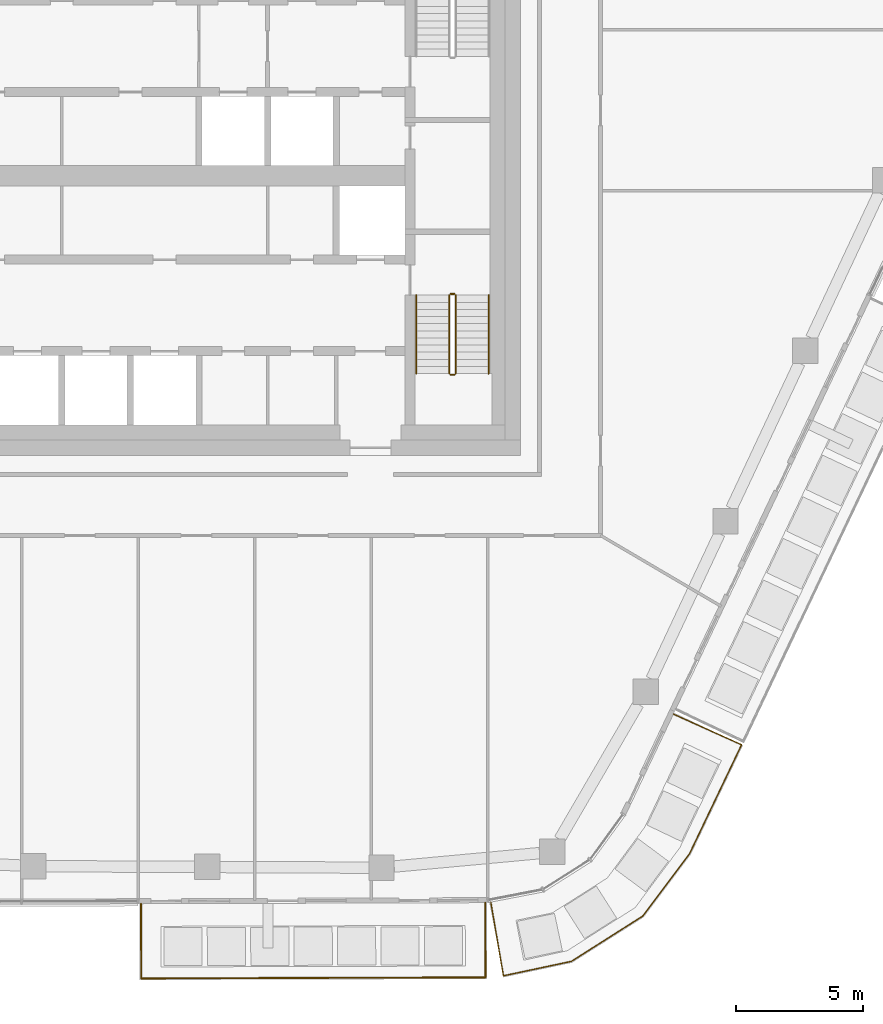
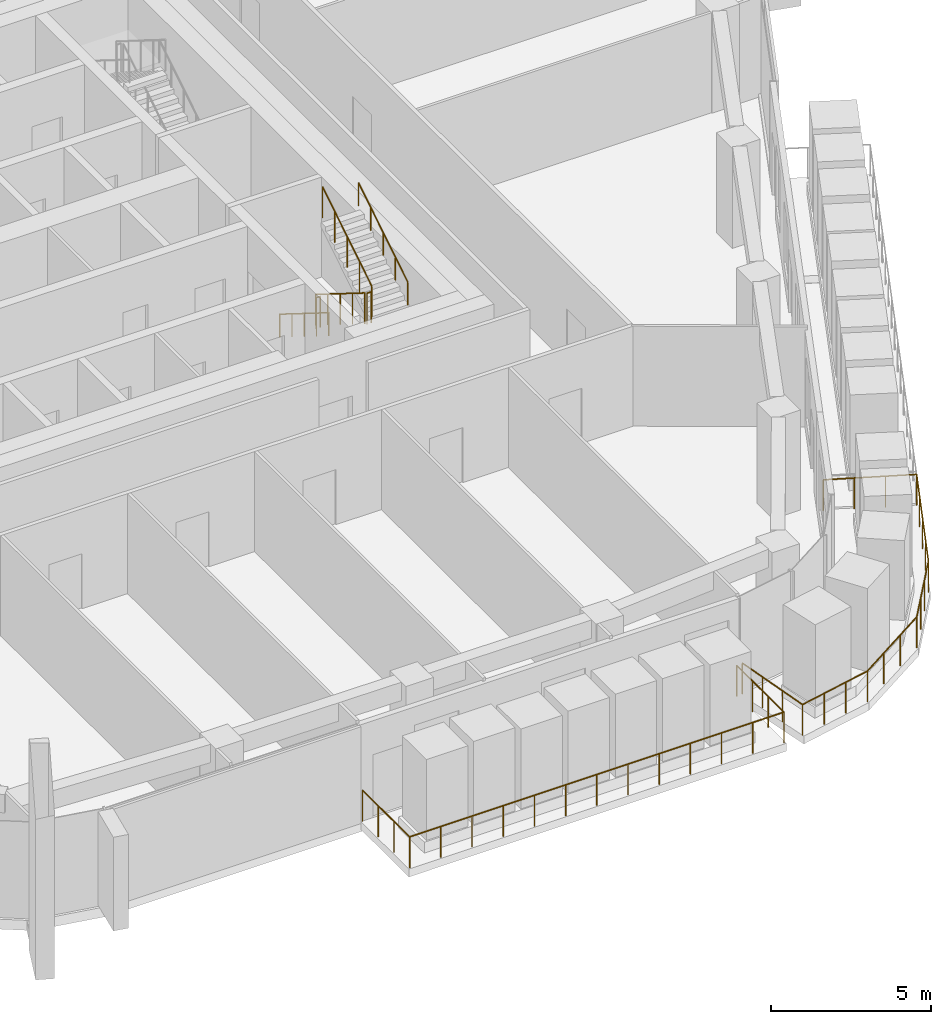
# One storey, part 20 of 24: 8 railings.
"""IFC4 building model written with IfcOpenShell, lengths in metres."""

from ifc_helpers import new_model, si_unit, direction, frame, origin, origin_2d, place, context, subcontext, project, spatial, circle, extrude, material, type_object, element, save


model = new_model("IFC4")

# Units and contexts
model_context = context("Model", 3, precision=1e-05, world=origin(), true_north=direction((0.0, 1.0)))
body_context = subcontext(model_context, "Body", "Model", "MODEL_VIEW")
ifc_project = project(units=[si_unit("LENGTHUNIT", "METRE"), si_unit("AREAUNIT", "SQUARE_METRE"), si_unit("VOLUMEUNIT", "CUBIC_METRE"), si_unit("PLANEANGLEUNIT", "RADIAN"), si_unit("MASSUNIT", "GRAM", prefix="KILO")], contexts=[model_context])

# Site, building, storey
site_placement = place(None, origin())
site = spatial("IfcSite", under=ifc_project, at=site_placement, CompositionType="ELEMENT")
building_placement = place(site_placement, origin())
building = spatial("IfcBuilding", under=site, at=building_placement, Name="Dongbaek Canopy Tower", CompositionType="ELEMENT")
storey_placement = place(building_placement, frame((0.0, 0.0, 344.60009765625)))
storey = spatial("IfcBuildingStorey", under=building, at=storey_placement, Name="L74", CompositionType="ELEMENT", Elevation=344.60009765625)

# Railings
ifc_material_1 = material(Name="Stainless steel", Category="steel")
railing_type_1 = type_object("IfcRailingType", Name="Balcony balustrade 1200", PredefinedType="BALUSTRADE", material=ifc_material_1)
railing_1_placement = place(storey_placement, frame((-0.93212890625, -28.645263671875, 0.0)))
element("IfcRailing", 1, at=railing_1_placement, inside=storey, type_object=railing_type_1, Name="Balcony guard L74 4", PredefinedType="BALUSTRADE", context=body_context, shape_type="SweptSolid", body=[
    extrude(circle(Radius=0.02392578125, at=origin_2d()), frame((0.0, 0.0, 1.17578125), z_axis=(0.003072564802, -0.999995279662, 0.0), x_axis=(0.999995279662, 0.003072564802, 0.0)), (0.0, 0.0, 1.0), 2.93994140625),
    extrude(circle(Radius=0.02392578125, at=origin_2d()), frame((0.009033203125, -2.93994140625, 1.17578125), z_axis=(0.999995307334, 0.00306354548, 0.0), x_axis=(-0.00306354548, 0.999995307334, 0.0)), (0.0, 0.0, 1.0), 13.547607421875),
    extrude(circle(Radius=0.02392578125, at=origin_2d()), frame((13.556640625, -2.8984375, 1.17578125), z_axis=(-0.003072564802, 0.999995279662, 0.0), x_axis=(-0.999995279662, -0.003072564802, 0.0)), (0.0, 0.0, 1.0), 2.93994140625),
    extrude(circle(Radius=0.02099609375, at=origin_2d()), origin(), (0.0, 0.0, 1.0), 1.15185546875),
    extrude(circle(Radius=0.02099609375, at=origin_2d()), frame((0.0029296875, -0.97998046875, 0.0)), (0.0, 0.0, 1.0), 1.15185546875),
    extrude(circle(Radius=0.02099609375, at=origin_2d()), frame((0.006103515625, -1.9599609375, 0.0)), (0.0, 0.0, 1.0), 1.15185546875),
    extrude(circle(Radius=0.02099609375, at=origin_2d()), frame((0.009033203125, -2.93994140625, 0.0)), (0.0, 0.0, 1.0), 1.15185546875),
    extrude(circle(Radius=0.02099609375, at=origin_2d()), frame((1.137939453125, -2.9365234375, 0.0)), (0.0, 0.0, 1.0), 1.15185546875),
    extrude(circle(Radius=0.02099609375, at=origin_2d()), frame((2.26708984375, -2.93310546875, 0.0)), (0.0, 0.0, 1.0), 1.15185546875),
    extrude(circle(Radius=0.02099609375, at=origin_2d()), frame((3.39599609375, -2.9296875, 0.0)), (0.0, 0.0, 1.0), 1.15185546875),
    extrude(circle(Radius=0.02099609375, at=origin_2d()), frame((4.52490234375, -2.926025390625, 0.0)), (0.0, 0.0, 1.0), 1.15185546875),
    extrude(circle(Radius=0.02099609375, at=origin_2d()), frame((5.65380859375, -2.922607421875, 0.0)), (0.0, 0.0, 1.0), 1.15185546875),
    extrude(circle(Radius=0.02099609375, at=origin_2d()), frame((6.78271484375, -2.919189453125, 0.0)), (0.0, 0.0, 1.0), 1.15185546875),
    extrude(circle(Radius=0.02099609375, at=origin_2d()), frame((7.911865234375, -2.915771484375, 0.0)), (0.0, 0.0, 1.0), 1.15185546875),
    extrude(circle(Radius=0.02099609375, at=origin_2d()), frame((9.040771484375, -2.912353515625, 0.0)), (0.0, 0.0, 1.0), 1.15185546875),
    extrude(circle(Radius=0.02099609375, at=origin_2d()), frame((10.169677734375, -2.90869140625, 0.0)), (0.0, 0.0, 1.0), 1.15185546875),
    extrude(circle(Radius=0.02099609375, at=origin_2d()), frame((11.298828125, -2.9052734375, 0.0)), (0.0, 0.0, 1.0), 1.15185546875),
    extrude(circle(Radius=0.02099609375, at=origin_2d()), frame((12.427734375, -2.90185546875, 0.0)), (0.0, 0.0, 1.0), 1.15185546875),
    extrude(circle(Radius=0.02099609375, at=origin_2d()), frame((13.556640625, -2.8984375, 0.0)), (0.0, 0.0, 1.0), 1.15185546875),
    extrude(circle(Radius=0.02099609375, at=origin_2d()), frame((13.5537109375, -1.91845703125, 0.0)), (0.0, 0.0, 1.0), 1.15185546875),
    extrude(circle(Radius=0.02099609375, at=origin_2d()), frame((13.550537109375, -0.9384765625, 0.0)), (0.0, 0.0, 1.0), 1.15185546875),
    extrude(circle(Radius=0.02099609375, at=origin_2d()), frame((13.547607421875, 0.04150390625, 0.0)), (0.0, 0.0, 1.0), 1.15185546875),
])
railing_2_placement = place(storey_placement, frame((12.83349609375, -28.58251953125, 0.0)))
element("IfcRailing", 2, at=railing_2_placement, inside=storey, type_object=railing_type_1, Name="Balcony guard L74 8", PredefinedType="BALUSTRADE", context=body_context, shape_type="SweptSolid", body=[
    extrude(circle(Radius=0.02392578125, at=origin_2d()), frame((0.0, 0.0, 1.17578125), z_axis=(0.169284113414, -0.985567292957, 0.0), x_axis=(0.985567292957, 0.169284113414, 0.0)), (0.0, 0.0, 1.0), 2.940673828125),
    extrude(circle(Radius=0.02392578125, at=origin_2d()), frame((0.497802734375, -2.898193359375, 1.17578125), z_axis=(0.978169285546, 0.207809645624, 0.0), x_axis=(-0.207809645624, 0.978169285546, 0.0)), (0.0, 0.0, 1.0), 2.735107421875),
    extrude(circle(Radius=0.02392578125, at=origin_2d()), frame((3.173095703125, -2.329833984375, 1.17578125), z_axis=(0.844294363637, 0.535879676356, 0.0), x_axis=(-0.535879676356, 0.844294363637, 0.0)), (0.0, 0.0, 1.0), 3.33251953125),
    extrude(circle(Radius=0.02392578125, at=origin_2d()), frame((5.98681640625, -0.5439453125, 1.17578125), z_axis=(0.599578655963, 0.800315834726, 0.0), x_axis=(-0.800315834726, 0.599578655963, 0.0)), (0.0, 0.0, 1.0), 3.06005859375),
    extrude(circle(Radius=0.02392578125, at=origin_2d()), frame((7.821533203125, 1.905029296875, 1.17578125), z_axis=(0.430966385628, 0.902367981734, 0.0), x_axis=(-0.902367981734, 0.430966385628, 0.0)), (0.0, 0.0, 1.0), 4.751708984375),
    extrude(circle(Radius=0.02392578125, at=origin_2d()), frame((9.869384765625, 6.19287109375, 1.17578125), z_axis=(-0.912067467549, 0.410040162227, 0.0), x_axis=(-0.410040162227, -0.912067467549, 0.0)), (0.0, 0.0, 1.0), 2.940673828125),
    extrude(circle(Radius=0.02099609375, at=origin_2d()), origin(), (0.0, 0.0, 1.0), 1.15185546875),
    extrude(circle(Radius=0.02099609375, at=origin_2d()), frame((0.166015625, -0.966064453125, 0.0)), (0.0, 0.0, 1.0), 1.15185546875),
    extrude(circle(Radius=0.02099609375, at=origin_2d()), frame((0.331787109375, -1.93212890625, 0.0)), (0.0, 0.0, 1.0), 1.15185546875),
    extrude(circle(Radius=0.02099609375, at=origin_2d()), frame((0.497802734375, -2.898193359375, 0.0)), (0.0, 0.0, 1.0), 1.15185546875),
    extrude(circle(Radius=0.02099609375, at=origin_2d()), frame((1.3896484375, -2.708740234375, 0.0)), (0.0, 0.0, 1.0), 1.15185546875),
    extrude(circle(Radius=0.02099609375, at=origin_2d()), frame((2.28125, -2.519287109375, 0.0)), (0.0, 0.0, 1.0), 1.15185546875),
    extrude(circle(Radius=0.02099609375, at=origin_2d()), frame((3.173095703125, -2.329833984375, 0.0)), (0.0, 0.0, 1.0), 1.15185546875),
    extrude(circle(Radius=0.02099609375, at=origin_2d()), frame((4.111083984375, -1.734619140625, 0.0)), (0.0, 0.0, 1.0), 1.15185546875),
    extrude(circle(Radius=0.02099609375, at=origin_2d()), frame((5.048828125, -1.13916015625, 0.0)), (0.0, 0.0, 1.0), 1.15185546875),
    extrude(circle(Radius=0.02099609375, at=origin_2d()), frame((5.98681640625, -0.5439453125, 0.0)), (0.0, 0.0, 1.0), 1.15185546875),
    extrude(circle(Radius=0.02099609375, at=origin_2d()), frame((6.598388671875, 0.2724609375, 0.0)), (0.0, 0.0, 1.0), 1.15185546875),
    extrude(circle(Radius=0.02099609375, at=origin_2d()), frame((7.2099609375, 1.088623046875, 0.0)), (0.0, 0.0, 1.0), 1.15185546875),
    extrude(circle(Radius=0.02099609375, at=origin_2d()), frame((7.821533203125, 1.905029296875, 0.0)), (0.0, 0.0, 1.0), 1.15185546875),
    extrude(circle(Radius=0.02099609375, at=origin_2d()), frame((8.33349609375, 2.97705078125, 0.0)), (0.0, 0.0, 1.0), 1.15185546875),
    extrude(circle(Radius=0.02099609375, at=origin_2d()), frame((8.845458984375, 4.048828125, 0.0)), (0.0, 0.0, 1.0), 1.15185546875),
    extrude(circle(Radius=0.02099609375, at=origin_2d()), frame((9.357421875, 5.120849609375, 0.0)), (0.0, 0.0, 1.0), 1.15185546875),
    extrude(circle(Radius=0.02099609375, at=origin_2d()), frame((9.869384765625, 6.19287109375, 0.0)), (0.0, 0.0, 1.0), 1.15185546875),
    extrude(circle(Radius=0.02099609375, at=origin_2d()), frame((8.975341796875, 6.5947265625, 0.0)), (0.0, 0.0, 1.0), 1.15185546875),
    extrude(circle(Radius=0.02099609375, at=origin_2d()), frame((8.081298828125, 6.996826171875, 0.0)), (0.0, 0.0, 1.0), 1.15185546875),
    extrude(circle(Radius=0.02099609375, at=origin_2d()), frame((7.187255859375, 7.398681640625, 0.0)), (0.0, 0.0, 1.0), 1.15185546875),
])
ifc_material_2 = material(Name="Stainless steel tube and balusters", Category="steel")
railing_type_2 = type_object("IfcRailingType", Name="Stair guard 1200", PredefinedType="GUARDRAIL", material=ifc_material_2)
railing_3_placement = place(storey_placement, frame((11.199951171875, -4.699951171875, 0.1748046875)))
element("IfcRailing", 3, at=railing_3_placement, inside=storey, type_object=railing_type_2, Name="L74 ST-B stair guard 1", PredefinedType="GUARDRAIL", context=body_context, shape_type="SweptSolid", body=[
    extrude(circle(Radius=0.02392578125, at=origin_2d()), frame((0.0, 0.0, 1.17578125), z_axis=(0.0, -0.847998304005, 0.529998940003), x_axis=(1.0, 0.0, 0.0)), (0.0, 0.0, 1.0), 3.632080078125),
    extrude(circle(Radius=0.02099609375, at=origin_2d()), origin(), (0.0, 0.0, 1.0), 1.15185546875),
    extrude(circle(Radius=0.02099609375, at=origin_2d()), frame((0.0, -0.77001953125, 0.481201171875)), (0.0, 0.0, 1.0), 1.15185546875),
    extrude(circle(Radius=0.02099609375, at=origin_2d()), frame((0.0, -1.5400390625, 0.96240234375)), (0.0, 0.0, 1.0), 1.15185546875),
    extrude(circle(Radius=0.02099609375, at=origin_2d()), frame((0.0, -2.31005859375, 1.44384765625)), (0.0, 0.0, 1.0), 1.15185546875),
    extrude(circle(Radius=0.02099609375, at=origin_2d()), frame((0.0, -3.080078125, 1.925048828125)), (0.0, 0.0, 1.0), 1.15185546875),
])
railing_4_placement = place(storey_placement, frame((11.25, -7.830078125, 2.099853515625)))
element("IfcRailing", 4, at=railing_4_placement, inside=storey, type_object=railing_type_2, Name="L74 ST-B stair guard 2", PredefinedType="GUARDRAIL", context=body_context, shape_type="SweptSolid", body=[
    extrude(circle(Radius=0.02392578125, at=origin_2d()), frame((0.0, 0.0, 1.17578125), z_axis=(1.0, 0.0, 0.0), x_axis=(0.0, 1.0, 0.0)), (0.0, 0.0, 1.0), 0.14990234375),
    extrude(circle(Radius=0.02099609375, at=origin_2d()), origin(), (0.0, 0.0, 1.0), 1.15185546875),
    extrude(circle(Radius=0.02099609375, at=origin_2d()), frame((0.14990234375, 0.0, 0.0)), (0.0, 0.0, 1.0), 1.15185546875),
])
railing_5_placement = place(storey_placement, frame((11.449951171875, -7.780029296875, 2.27490234375)))
element("IfcRailing", 5, at=railing_5_placement, inside=storey, type_object=railing_type_2, Name="L74 ST-B stair guard 3", PredefinedType="GUARDRAIL", context=body_context, shape_type="SweptSolid", body=[
    extrude(circle(Radius=0.02392578125, at=origin_2d()), frame((0.0, 0.0, 1.17578125), z_axis=(0.0, 0.847998304005, 0.529998940003), x_axis=(-1.0, 0.0, 0.0)), (0.0, 0.0, 1.0), 3.632080078125),
    extrude(circle(Radius=0.02099609375, at=origin_2d()), origin(), (0.0, 0.0, 1.0), 1.15185546875),
    extrude(circle(Radius=0.02099609375, at=origin_2d()), frame((0.0, 0.77001953125, 0.481201171875)), (0.0, 0.0, 1.0), 1.15185546875),
    extrude(circle(Radius=0.02099609375, at=origin_2d()), frame((0.0, 1.5400390625, 0.96240234375)), (0.0, 0.0, 1.0), 1.15185546875),
    extrude(circle(Radius=0.02099609375, at=origin_2d()), frame((0.0, 2.31005859375, 1.44384765625)), (0.0, 0.0, 1.0), 1.15185546875),
    extrude(circle(Radius=0.02099609375, at=origin_2d()), frame((0.0, 3.080078125, 1.925048828125)), (0.0, 0.0, 1.0), 1.15185546875),
])
railing_6_placement = place(storey_placement, frame((11.25, -4.64990234375, 0.0)))
element("IfcRailing", 6, at=railing_6_placement, inside=storey, type_object=railing_type_2, Name="L74 ST-B stair guard 4", PredefinedType="GUARDRAIL", context=body_context, shape_type="SweptSolid", body=[
    extrude(circle(Radius=0.02392578125, at=origin_2d()), frame((0.0, 0.0, 1.17578125), z_axis=(1.0, 0.0, 0.0), x_axis=(0.0, 1.0, 0.0)), (0.0, 0.0, 1.0), 0.14990234375),
    extrude(circle(Radius=0.02099609375, at=origin_2d()), origin(), (0.0, 0.0, 1.0), 1.15185546875),
    extrude(circle(Radius=0.02099609375, at=origin_2d()), frame((0.14990234375, 0.0, 0.0)), (0.0, 0.0, 1.0), 1.15185546875),
])
ifc_material_3 = material(Name="Stainless steel tube", Category="steel")
railing_type_3 = type_object("IfcRailingType", Name="Stair handrail 900", PredefinedType="HANDRAIL", material=ifc_material_3)
railing_7_placement = place(storey_placement, frame((9.89990234375, -4.699951171875, 0.1748046875)))
element("IfcRailing", 7, at=railing_7_placement, inside=storey, type_object=railing_type_3, Name="L74 ST-B stair handrail 1", PredefinedType="HANDRAIL", context=body_context, shape_type="SweptSolid", body=[
    extrude(circle(Radius=0.02392578125, at=origin_2d()), frame((0.0, 0.0, 0.8759765625), z_axis=(0.0, -0.847998304005, 0.529998940003), x_axis=(1.0, 0.0, 0.0)), (0.0, 0.0, 1.0), 3.632080078125),
    extrude(circle(Radius=0.02099609375, at=origin_2d()), origin(), (0.0, 0.0, 1.0), 0.851806640625),
    extrude(circle(Radius=0.02099609375, at=origin_2d()), frame((0.0, -0.77001953125, 0.481201171875)), (0.0, 0.0, 1.0), 0.851806640625),
    extrude(circle(Radius=0.02099609375, at=origin_2d()), frame((0.0, -1.5400390625, 0.96240234375)), (0.0, 0.0, 1.0), 0.851806640625),
    extrude(circle(Radius=0.02099609375, at=origin_2d()), frame((0.0, -2.31005859375, 1.44384765625)), (0.0, 0.0, 1.0), 0.851806640625),
    extrude(circle(Radius=0.02099609375, at=origin_2d()), frame((0.0, -3.080078125, 1.925048828125)), (0.0, 0.0, 1.0), 0.851806640625),
])
railing_8_placement = place(storey_placement, frame((12.75, -7.780029296875, 2.27490234375)))
element("IfcRailing", 8, at=railing_8_placement, inside=storey, type_object=railing_type_3, Name="L74 ST-B stair handrail 2", PredefinedType="HANDRAIL", context=body_context, shape_type="SweptSolid", body=[
    extrude(circle(Radius=0.02392578125, at=origin_2d()), frame((0.0, 0.0, 0.8759765625), z_axis=(0.0, 0.847998304005, 0.529998940003), x_axis=(-1.0, 0.0, 0.0)), (0.0, 0.0, 1.0), 3.632080078125),
    extrude(circle(Radius=0.02099609375, at=origin_2d()), origin(), (0.0, 0.0, 1.0), 0.851806640625),
    extrude(circle(Radius=0.02099609375, at=origin_2d()), frame((0.0, 0.77001953125, 0.481201171875)), (0.0, 0.0, 1.0), 0.851806640625),
    extrude(circle(Radius=0.02099609375, at=origin_2d()), frame((0.0, 1.5400390625, 0.96240234375)), (0.0, 0.0, 1.0), 0.851806640625),
    extrude(circle(Radius=0.02099609375, at=origin_2d()), frame((0.0, 2.31005859375, 1.44384765625)), (0.0, 0.0, 1.0), 0.851806640625),
    extrude(circle(Radius=0.02099609375, at=origin_2d()), frame((0.0, 3.080078125, 1.925048828125)), (0.0, 0.0, 1.0), 0.851806640625),
])

save(model, "model.ifc")
